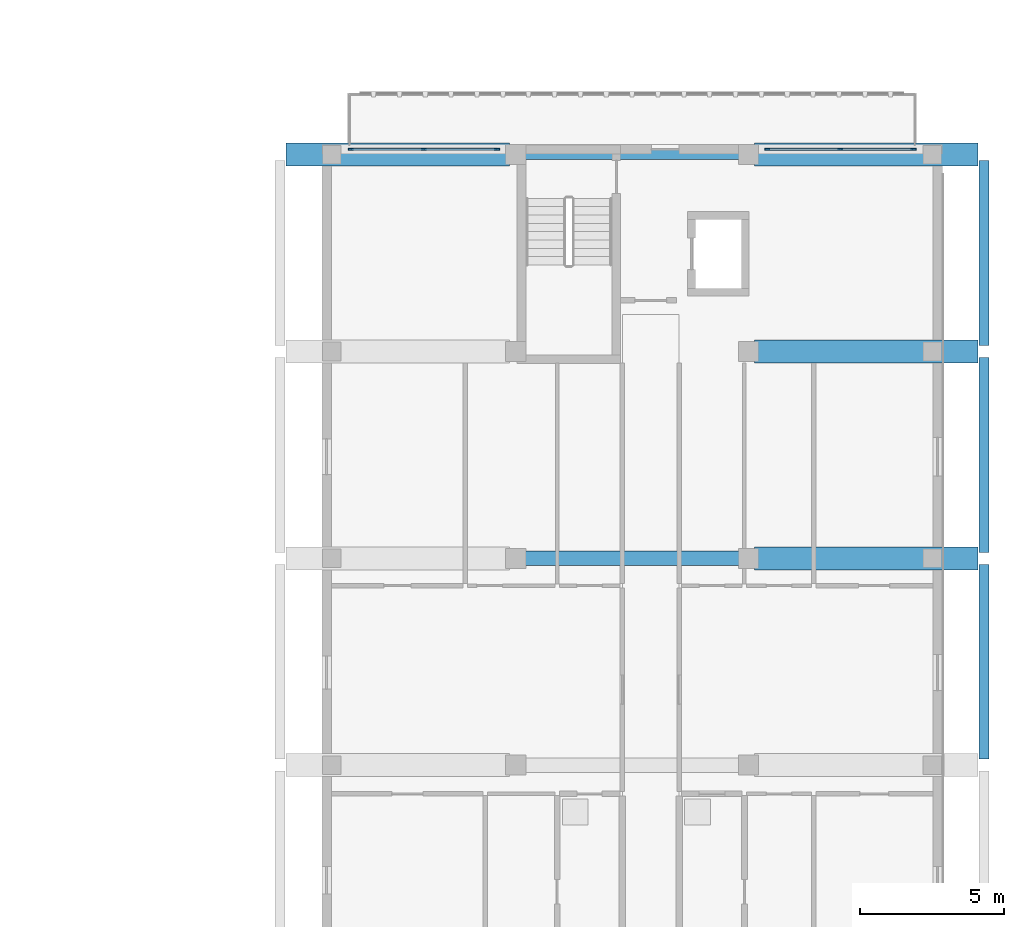
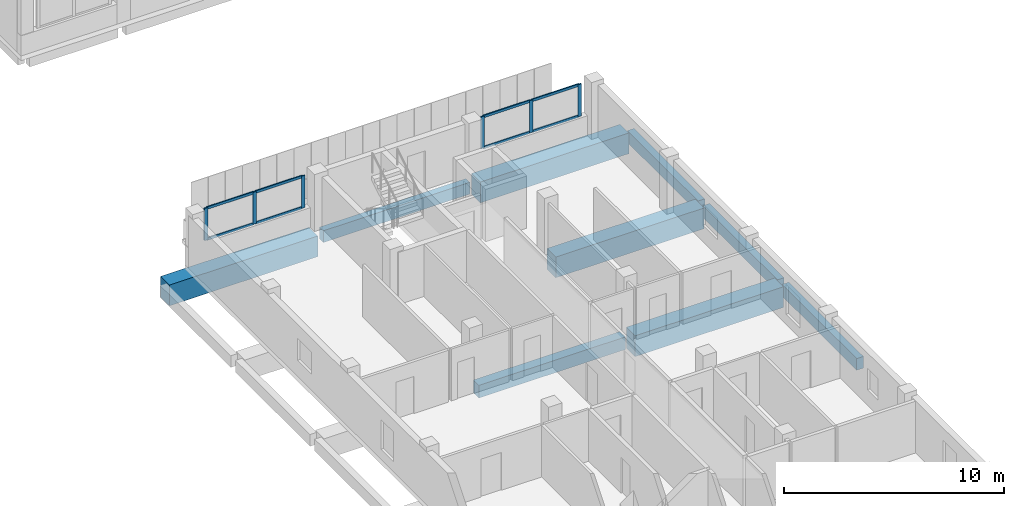
# One storey, part 15 of 51: 14 members, 9 beams, 2 elements without a shape of their own.
"""IFC4 building model written with IfcOpenShell, lengths in metres."""

from ifc_helpers import new_model, si_unit, derived_unit, direction, frame, origin, origin_2d, place, context, subcontext, project, spatial, rectangle, extrude, material, layer, layer_set, material_profile, profile_set, type_object, element, aggregate, save


model = new_model("IFC4")

# Units and contexts
model_context = context("Model", 3, precision=1e-05, world=origin(), true_north=direction((0.0, 1.0)))
body_context = subcontext(model_context, "Body", "Model", "MODEL_VIEW")
ifc_project = project(units=[si_unit("LENGTHUNIT", "METRE"), si_unit("AREAUNIT", "SQUARE_METRE"), si_unit("VOLUMEUNIT", "CUBIC_METRE"), si_unit("PLANEANGLEUNIT", "RADIAN"), si_unit("MASSUNIT", "GRAM", prefix="KILO"), derived_unit("THERMALTRANSMITTANCEUNIT", [(si_unit("MASSUNIT", "GRAM", prefix="KILO"), 1), (si_unit("TIMEUNIT", "SECOND"), -3), (si_unit("THERMODYNAMICTEMPERATUREUNIT", "KELVIN"), -1)])], contexts=[model_context])

# Site, building, storey
site_placement = place(None, origin())
site = spatial("IfcSite", under=ifc_project, at=site_placement, CompositionType="ELEMENT")
building_placement = place(site_placement, origin())
building = spatial("IfcBuilding", under=site, at=building_placement, Name="Ochrekiln Boulevard Commons", CompositionType="ELEMENT")
storey_placement = place(building_placement, frame((0.0, 0.0, 18.375)))
storey = spatial("IfcBuildingStorey", under=building, at=storey_placement, Name="L05", CompositionType="ELEMENT", Elevation=18.375)

# Beams
ifc_material_1 = material(Name="Concrete C40/50", Category="concrete")
ifc_material_profile_1 = material_profile(ifc_material_1, rectangle(XDim=0.5, YDim=0.699951171875, at=origin_2d()), Name="RC-BM-500x700")
ifc_profile_set_1 = profile_set([ifc_material_profile_1], Name="Concrete C40/50")
beam_type_1 = type_object("IfcBeamType", Name="BM-RC-500x700", PredefinedType="BEAM", material=ifc_profile_set_1)
beam_1_placement = place(storey_placement, frame((156.360107421875, 36.0, -0.610107421875), z_axis=(1.0, 0.0, 0.0), x_axis=(0.0, 1.0, 0.0)))
element("IfcBeam", 1, at=beam_1_placement, inside=storey, type_object=beam_type_1, Name="Block C L05 Beam B-5070 X16", PredefinedType="BEAM", context=body_context, shape_type="SweptSolid", body=[
    extrude(rectangle(XDim=0.5, YDim=0.699951171875, at=origin_2d()), origin(), (0.0, 0.0, 1.0), 7.679931640625),
])
ifc_material_profile_2 = material_profile(ifc_material_1, rectangle(XDim=0.800048828125, YDim=1.14990234375, at=origin_2d()), Name="RC-TRG-800x1150")
ifc_profile_set_2 = profile_set([ifc_material_profile_2], Name="Concrete C40/50")
beam_type_2 = type_object("IfcBeamType", Name="BM-TRG-800x1150", PredefinedType="BEAM", material=ifc_profile_set_2)
for number, where, z_axis, x_axis, name in (
    (2, (164.4599609375, 36.0, -0.8349609375), (1.0, 0.0, 0.0), (0.0, 1.0, 0.0), "Block C L05 Beam TG-01 X17"),
    (3, (164.4599609375, 43.199951171875, -0.8349609375), (1.0, 0.0, 0.0), (0.0, 1.0, 0.0), "Block C L05 Beam TG-01 X19"),
    (4, (148.159912109375, 50.050048828125, -0.8349609375), (1.0, 0.0, 0.0), (0.0, 1.0, 0.0), "Block C L05 Beam TG-01 X20"),
    (5, (164.4599609375, 50.050048828125, -0.8349609375), (1.0, 0.0, 0.0), (0.0, 1.0, 0.0), "Block C L05 Beam TG-01 X22"),
):
    element("IfcBeam", number, at=place(storey_placement, frame(where, z_axis=z_axis, x_axis=x_axis)), inside=storey, type_object=beam_type_2, Name=name, PredefinedType="BEAM", context=body_context, shape_type="SweptSolid", body=[
        extrude(rectangle(XDim=0.800048828125, YDim=1.14990234375, at=origin_2d()), origin(), (0.0, 0.0, 1.0), 7.780029296875),
    ])

# Curtain wall, members
ifc_material_2 = material(Name="Bronze-anodized extruded aluminium 6063-T6", Category="aluminium")
ifc_layer = layer(ifc_material_2, 0.18408203125)
ifc_layer_set = layer_set([ifc_layer], Name="Bronze-anodized extruded aluminium 6063-T6")
curtain_wall_type = type_object("IfcCurtainWallType", Name="CW-GABLE-B", PredefinedType="USERDEFINED", material=ifc_layer_set)
curtain_wall_1_placement = place(storey_placement, origin())
curtain_wall_1 = element("IfcCurtainWall", 6, at=curtain_wall_1_placement, inside=storey, type_object=curtain_wall_type, Name="Block C L05 Courtyard Glazed Gable Curtain Wall 1", ObjectType="GLAZED CURTAIN WALL", PredefinedType="USERDEFINED")
ifc_material_profile_3 = material_profile(ifc_material_2, rectangle(XDim=0.06494140625, YDim=0.179931640625, at=origin_2d()), Name="ALU-MUL-65x180")
ifc_profile_set_3 = profile_set([ifc_material_profile_3], Name="Bronze-anodized extruded aluminium 6063-T6")
member_type_1 = type_object("IfcMemberType", Name="CWM-65x180", PredefinedType="MULLION", material=ifc_profile_set_3)
member_1_placement = place(storey_placement, frame((150.402587890625, 50.235107421875, 1.110107421875), z_axis=(0.0, 0.0, 1.0), x_axis=(0.0, 1.0, 0.0)))
member_1 = element("IfcMember", 7, at=member_1_placement, type_object=member_type_1, Name="CW-02 mullion 1", PredefinedType="MULLION", context=body_context, shape_type="SweptSolid", body=[
    extrude(rectangle(XDim=0.06494140625, YDim=0.179931640625, at=origin_2d()), origin(), (0.0, 0.0, 1.0), 1.77978515625),
])
member_2_placement = place(storey_placement, frame((152.949951171875, 50.235107421875, 1.110107421875), z_axis=(0.0, 0.0, 1.0), x_axis=(0.0, 1.0, 0.0)))
member_2 = element("IfcMember", 8, at=member_2_placement, type_object=member_type_1, Name="CW-02 mullion 2", PredefinedType="MULLION", context=body_context, shape_type="SweptSolid", body=[
    extrude(rectangle(XDim=0.06494140625, YDim=0.179931640625, at=origin_2d()), origin(), (0.0, 0.0, 1.0), 1.77978515625),
])
member_3_placement = place(storey_placement, frame((155.49755859375, 50.235107421875, 1.110107421875), z_axis=(0.0, 0.0, 1.0), x_axis=(0.0, 1.0, 0.0)))
member_3 = element("IfcMember", 9, at=member_3_placement, type_object=member_type_1, Name="CW-02 mullion 3", PredefinedType="MULLION", context=body_context, shape_type="SweptSolid", body=[
    extrude(rectangle(XDim=0.06494140625, YDim=0.179931640625, at=origin_2d()), origin(), (0.0, 0.0, 1.0), 1.77978515625),
])

curtain_wall_2_placement = place(storey_placement, origin())
curtain_wall_2 = element("IfcCurtainWall", 10, at=curtain_wall_2_placement, inside=storey, type_object=curtain_wall_type, Name="Block C L05 Courtyard Glazed Gable Curtain Wall 2", ObjectType="GLAZED CURTAIN WALL", PredefinedType="USERDEFINED")
member_4_placement = place(storey_placement, frame((164.902587890625, 50.235107421875, 1.110107421875), z_axis=(0.0, 0.0, 1.0), x_axis=(0.0, 1.0, 0.0)))
member_4 = element("IfcMember", 11, at=member_4_placement, type_object=member_type_1, Name="CW-02 mullion 1", PredefinedType="MULLION", context=body_context, shape_type="SweptSolid", body=[
    extrude(rectangle(XDim=0.06494140625, YDim=0.179931640625, at=origin_2d()), origin(), (0.0, 0.0, 1.0), 1.77978515625),
])
member_5_placement = place(storey_placement, frame((167.449951171875, 50.235107421875, 1.110107421875), z_axis=(0.0, 0.0, 1.0), x_axis=(0.0, 1.0, 0.0)))
member_5 = element("IfcMember", 12, at=member_5_placement, type_object=member_type_1, Name="CW-02 mullion 2", PredefinedType="MULLION", context=body_context, shape_type="SweptSolid", body=[
    extrude(rectangle(XDim=0.06494140625, YDim=0.179931640625, at=origin_2d()), origin(), (0.0, 0.0, 1.0), 1.77978515625),
])
member_6_placement = place(storey_placement, frame((169.99755859375, 50.235107421875, 1.110107421875), z_axis=(0.0, 0.0, 1.0), x_axis=(0.0, 1.0, 0.0)))
member_6 = element("IfcMember", 13, at=member_6_placement, type_object=member_type_1, Name="CW-02 mullion 3", PredefinedType="MULLION", context=body_context, shape_type="SweptSolid", body=[
    extrude(rectangle(XDim=0.06494140625, YDim=0.179931640625, at=origin_2d()), origin(), (0.0, 0.0, 1.0), 1.77978515625),
])

# Member
ifc_material_profile_4 = material_profile(ifc_material_2, rectangle(XDim=0.06494140625, YDim=0.139892578125, at=origin_2d()), Name="ALU-TRN-65x140")
ifc_profile_set_4 = profile_set([ifc_material_profile_4], Name="Bronze-anodized extruded aluminium 6063-T6")
member_type_2 = type_object("IfcMemberType", Name="CWT-65x140", PredefinedType="USERDEFINED", material=ifc_profile_set_4)
member_7_placement = place(storey_placement, frame((150.43505859375, 50.235107421875, 1.142578125), z_axis=(1.0, 0.0, 0.0), x_axis=(0.0, 1.0, 0.0)))
member_7 = element("IfcMember", 14, at=member_7_placement, type_object=member_type_2, Name="CW-02 transom 1.1", ObjectType="TRANSOM", PredefinedType="USERDEFINED", context=body_context, shape_type="SweptSolid", body=[
    extrude(rectangle(XDim=0.06494140625, YDim=0.139892578125, at=origin_2d()), origin(), (0.0, 0.0, 1.0), 2.482421875),
])

member_8_placement = place(storey_placement, frame((150.43505859375, 50.235107421875, 2.857421875), z_axis=(1.0, 0.0, 0.0), x_axis=(0.0, 1.0, 0.0)))
member_8 = element("IfcMember", 15, at=member_8_placement, type_object=member_type_2, Name="CW-02 transom 1.2", ObjectType="TRANSOM", PredefinedType="USERDEFINED", context=body_context, shape_type="SweptSolid", body=[
    extrude(rectangle(XDim=0.06494140625, YDim=0.139892578125, at=origin_2d()), origin(), (0.0, 0.0, 1.0), 2.482421875),
])

member_9_placement = place(storey_placement, frame((152.982421875, 50.235107421875, 1.142578125), z_axis=(1.0, 0.0, 0.0), x_axis=(0.0, 1.0, 0.0)))
member_9 = element("IfcMember", 16, at=member_9_placement, type_object=member_type_2, Name="CW-02 transom 2.1", ObjectType="TRANSOM", PredefinedType="USERDEFINED", context=body_context, shape_type="SweptSolid", body=[
    extrude(rectangle(XDim=0.06494140625, YDim=0.139892578125, at=origin_2d()), origin(), (0.0, 0.0, 1.0), 2.482666015625),
])

member_10_placement = place(storey_placement, frame((152.982421875, 50.235107421875, 2.857421875), z_axis=(1.0, 0.0, 0.0), x_axis=(0.0, 1.0, 0.0)))
member_10 = element("IfcMember", 17, at=member_10_placement, type_object=member_type_2, Name="CW-02 transom 2.2", ObjectType="TRANSOM", PredefinedType="USERDEFINED", context=body_context, shape_type="SweptSolid", body=[
    extrude(rectangle(XDim=0.06494140625, YDim=0.139892578125, at=origin_2d()), origin(), (0.0, 0.0, 1.0), 2.482666015625),
])

aggregate(curtain_wall_1, [member_1, member_2, member_3, member_7, member_8, member_9, member_10])

member_11_placement = place(storey_placement, frame((164.93505859375, 50.235107421875, 1.142578125), z_axis=(1.0, 0.0, 0.0), x_axis=(0.0, 1.0, 0.0)))
member_11 = element("IfcMember", 18, at=member_11_placement, type_object=member_type_2, Name="CW-02 transom 1.1", ObjectType="TRANSOM", PredefinedType="USERDEFINED", context=body_context, shape_type="SweptSolid", body=[
    extrude(rectangle(XDim=0.06494140625, YDim=0.139892578125, at=origin_2d()), origin(), (0.0, 0.0, 1.0), 2.482421875),
])

member_12_placement = place(storey_placement, frame((164.93505859375, 50.235107421875, 2.857421875), z_axis=(1.0, 0.0, 0.0), x_axis=(0.0, 1.0, 0.0)))
member_12 = element("IfcMember", 19, at=member_12_placement, type_object=member_type_2, Name="CW-02 transom 1.2", ObjectType="TRANSOM", PredefinedType="USERDEFINED", context=body_context, shape_type="SweptSolid", body=[
    extrude(rectangle(XDim=0.06494140625, YDim=0.139892578125, at=origin_2d()), origin(), (0.0, 0.0, 1.0), 2.482421875),
])

member_13_placement = place(storey_placement, frame((167.482421875, 50.235107421875, 1.142578125), z_axis=(1.0, 0.0, 0.0), x_axis=(0.0, 1.0, 0.0)))
member_13 = element("IfcMember", 20, at=member_13_placement, type_object=member_type_2, Name="CW-02 transom 2.1", ObjectType="TRANSOM", PredefinedType="USERDEFINED", context=body_context, shape_type="SweptSolid", body=[
    extrude(rectangle(XDim=0.06494140625, YDim=0.139892578125, at=origin_2d()), origin(), (0.0, 0.0, 1.0), 2.482666015625),
])

member_14_placement = place(storey_placement, frame((167.482421875, 50.235107421875, 2.857421875), z_axis=(1.0, 0.0, 0.0), x_axis=(0.0, 1.0, 0.0)))
member_14 = element("IfcMember", 21, at=member_14_placement, type_object=member_type_2, Name="CW-02 transom 2.2", ObjectType="TRANSOM", PredefinedType="USERDEFINED", context=body_context, shape_type="SweptSolid", body=[
    extrude(rectangle(XDim=0.06494140625, YDim=0.139892578125, at=origin_2d()), origin(), (0.0, 0.0, 1.0), 2.482666015625),
])

aggregate(curtain_wall_2, [member_4, member_5, member_6, member_11, member_12, member_13, member_14])

# Beams
ifc_material_profile_5 = material_profile(ifc_material_1, rectangle(XDim=0.35009765625, YDim=0.64990234375, at=origin_2d()), Name="RC-SPN-350x650")
ifc_profile_set_5 = profile_set([ifc_material_profile_5], Name="Concrete C40/50")
beam_type_3 = type_object("IfcBeamType", Name="SPN-RC-350x650", PredefinedType="SPANDREL", material=ifc_profile_set_5)
beam_2_placement = place(storey_placement, frame((156.360107421875, 50.050048828125, -0.5849609375), z_axis=(1.0, 0.0, 0.0), x_axis=(0.0, 1.0, 0.0)))
element("IfcBeam", 22, at=beam_2_placement, inside=storey, type_object=beam_type_3, Name="Block C L05 Beam SP-3565 X21", PredefinedType="SPANDREL", context=body_context, shape_type="SweptSolid", body=[
    extrude(rectangle(XDim=0.35009765625, YDim=0.64990234375, at=origin_2d()), origin(), (0.0, 0.0, 1.0), 7.679931640625),
])
for number, where, z_axis, x_axis, name in (
    (23, (172.449951171875, 29.010009765625, -0.5849609375), (0.0, 1.0, 0.0), (-1.0, 0.0, 0.0), "Block C L05 Beam SP-3565 Y34"),
    (24, (172.449951171875, 36.2099609375, -0.5849609375), (0.0, 1.0, 0.0), (-1.0, 0.0, 0.0), "Block C L05 Beam SP-3565 Y35"),
):
    element("IfcBeam", number, at=place(storey_placement, frame(where, z_axis=z_axis, x_axis=x_axis)), inside=storey, type_object=beam_type_3, Name=name, PredefinedType="SPANDREL", context=body_context, shape_type="SweptSolid", body=[
        extrude(rectangle(XDim=0.35009765625, YDim=0.64990234375, at=origin_2d()), origin(), (0.0, 0.0, 1.0), 6.780029296875),
    ])
beam_3_placement = place(storey_placement, frame((172.449951171875, 43.409912109375, -0.5849609375), z_axis=(0.0, 1.0, 0.0), x_axis=(-1.0, 0.0, 0.0)))
element("IfcBeam", 25, at=beam_3_placement, inside=storey, type_object=beam_type_3, Name="Block C L05 Beam SP-3565 Y36", PredefinedType="SPANDREL", context=body_context, shape_type="SweptSolid", body=[
    extrude(rectangle(XDim=0.35009765625, YDim=0.64990234375, at=origin_2d()), origin(), (0.0, 0.0, 1.0), 6.43017578125),
])

save(model, "model.ifc")
